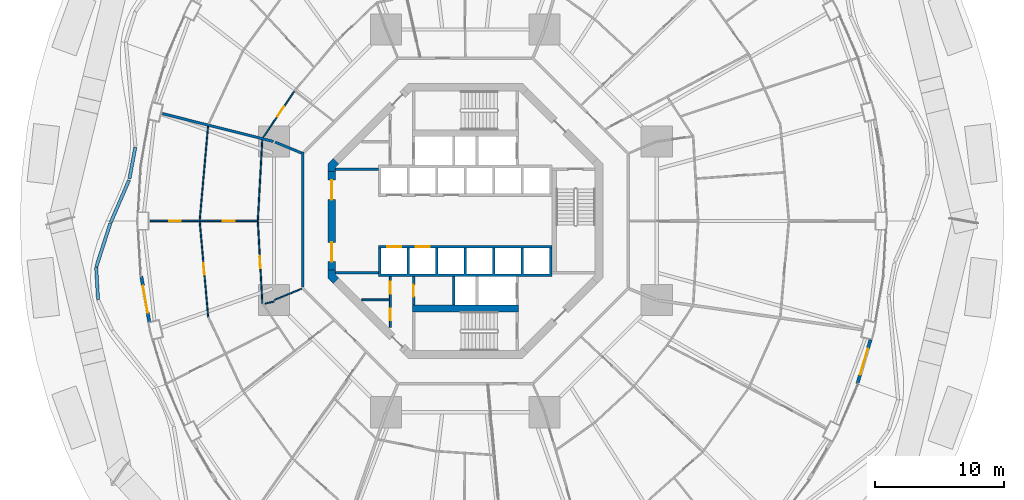
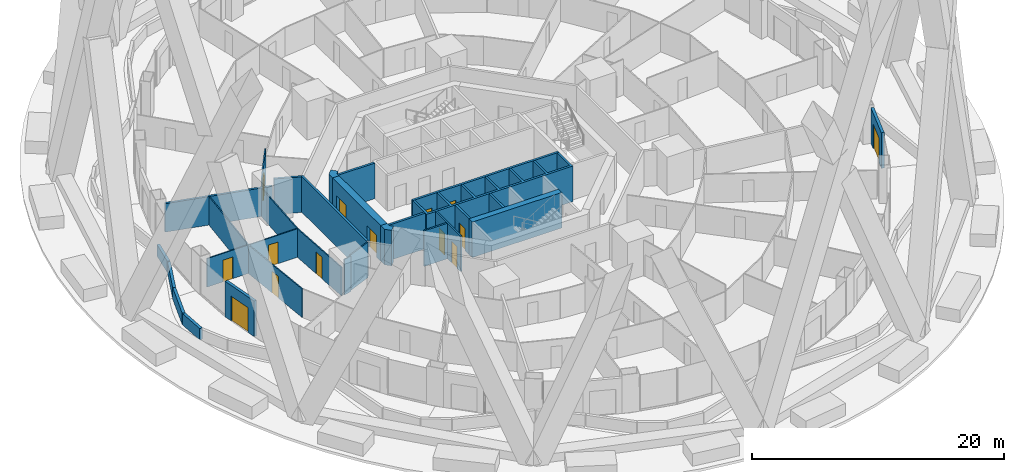
# One storey, part 36 of 42: 29 walls, 14 doors, 14 openings.
"""IFC4 building model written with IfcOpenShell, lengths in metres."""

from ifc_helpers import new_model, si_unit, direction, frame, frame_2d, origin, place, context, subcontext, project, spatial, polyline, rectangle, outline, extrude, material, layer, layer_set, type_object, element, fill, save


model = new_model("IFC4")

# Units and contexts
model_context = context("Model", 3, precision=1e-05, world=origin(), true_north=direction((0.0, 1.0)))
body_context = subcontext(model_context, "Body", "Model", "MODEL_VIEW")
ifc_project = project(units=[si_unit("LENGTHUNIT", "METRE"), si_unit("AREAUNIT", "SQUARE_METRE"), si_unit("VOLUMEUNIT", "CUBIC_METRE"), si_unit("PLANEANGLEUNIT", "RADIAN"), si_unit("MASSUNIT", "GRAM", prefix="KILO")], contexts=[model_context])

# Site, building, storey
site_placement = place(None, origin())
site = spatial("IfcSite", under=ifc_project, at=site_placement, CompositionType="ELEMENT")
building_placement = place(site_placement, origin())
building = spatial("IfcBuilding", under=site, at=building_placement, Name="Nagisa Residences", CompositionType="ELEMENT")
storey_placement = place(building_placement, frame((0.0, 0.0, 27.0)))
storey = spatial("IfcBuildingStorey", under=building, at=storey_placement, Name="L05", CompositionType="ELEMENT", Elevation=27.0)

# Walls
ifc_material_1 = material(Name="Gypsum board on steel studs", Category="steel")
ifc_layer_1 = layer(ifc_material_1, 0.199951171875)
ifc_layer_set_1 = layer_set([ifc_layer_1], Name="Apartment compartment wall EI60 200")
wall_type_1 = type_object("IfcWallType", Name="Apartment compartment wall EI60 200", PredefinedType="PARTITIONING", material=ifc_layer_set_1)
wall_1_placement = place(storey_placement, frame((-12.6572265625, 5.24267578125, 0.0), z_axis=(0.0, 0.0, 1.0), x_axis=(-0.923885664896, 0.382668627144, 0.0)))
element("IfcWall", 1, at=wall_1_placement, inside=storey, type_object=wall_type_1, Name="wall:L05:u02", PredefinedType="PARTITIONING", context=body_context, shape_type="SweptSolid", body=[
    extrude(rectangle(XDim=2.200439453125, YDim=0.199951171875, at=frame_2d((1.10009765625, 0.0))), origin(), (0.0, 0.0, 1.0), 3.43994140625),
])
wall_2_placement = place(storey_placement, frame((-14.83056640625, 6.135009765625, 0.0), z_axis=(0.0, 0.0, 1.0), x_axis=(-0.969884949569, 0.243563512454, 0.0)))
element("IfcWall", 2, at=wall_2_placement, inside=storey, type_object=wall_type_1, Name="wall:L05:u03", PredefinedType="PARTITIONING", context=body_context, shape_type="SweptSolid", body=[
    extrude(rectangle(XDim=8.828857421875, YDim=0.199951171875, at=frame_2d((4.41455078125, 0.0))), origin(), (0.0, 0.0, 1.0), 2.756103515625),
])
ifc_material_2 = material(Name="Gypsum board on steel studs", Category="steel")
ifc_layer_2 = layer(ifc_material_2, 0.199951171875)
ifc_layer_set_2 = layer_set([ifc_layer_2], Name="Apartment entry wall EI60 200")
wall_type_2 = type_object("IfcWallType", Name="Apartment entry wall EI60 200", PredefinedType="PARTITIONING", material=ifc_layer_set_2)
wall_3_placement = place(storey_placement, frame((-12.564697265625, 5.304443359375, 0.0), z_axis=(0.0, 0.0, 1.0), x_axis=(0.0, -1.0, 0.0)))
element("IfcWall", 3, at=wall_3_placement, inside=storey, type_object=wall_type_2, Name="wall:L05:u12", PredefinedType="PARTITIONING", context=body_context, shape_type="SweptSolid", body=[
    extrude(rectangle(XDim=10.408935546875, YDim=0.199951171875, at=frame_2d((5.20458984375, 0.0))), origin(), (0.0, 0.0, 1.0), 3.43994140625),
])

# Wall, opening, door
ifc_material_3 = material(Name="Gypsum board on steel studs", Category="steel")
ifc_layer_3 = layer(ifc_material_3, 0.10009765625)
ifc_layer_set_3 = layer_set([ifc_layer_3], Name="Apartment partition 100")
wall_type_3 = type_object("IfcWallType", Name="Apartment partition 100", PredefinedType="PARTITIONING", material=ifc_layer_set_3)
wall_4_placement = place(storey_placement, frame((-13.21826171875, 10.00390625, 0.0), z_axis=(0.0, 0.0, 1.0), x_axis=(-0.559112679527, -0.829091678641, 0.0)))
wall_4 = element("IfcWall", 4, at=wall_4_placement, inside=storey, type_object=wall_type_3, Name="wall:L05:u54", PredefinedType="PARTITIONING", context=body_context, shape_type="SweptSolid", body=[
    extrude(rectangle(XDim=4.30810546875, YDim=0.10009765625, at=frame_2d((2.154052734375, 0.0))), origin(), (0.0, 0.0, 1.0), 3.43994140625),
])
opening_1_placement = place(wall_4_placement, frame((1.43310546875, 0.0, 0.0)))
opening_1 = element("IfcOpeningElement", 5, at=opening_1_placement, cuts=wall_4, Name="Opening L05-U27", PredefinedType="OPENING", context=body_context, shape_type="SweptSolid", body=[
    extrude(rectangle(XDim=0.89990234375, YDim=2.10009765625, at=frame_2d((0.449951171875, 1.050048828125))), frame((0.0, 0.06005859375, 0.0), z_axis=(0.0, -1.0, 0.0), x_axis=(1.0, 0.0, 0.0)), (0.0, 0.0, 1.0), 0.1201171875),
])
ifc_material_4 = material(Name="Timber door set", Category="wood")
door_type_1 = type_object("IfcDoorType", Name="Apartment door 900x2100", OperationType="NOTDEFINED", PredefinedType="DOOR", material=ifc_material_4)
door_1_placement = place(opening_1_placement, origin())
door_1 = element("IfcDoor", 6, at=door_1_placement, inside=storey, type_object=door_type_1, Name="Door to laundry, Apartment 05B", OperationType="SINGLE_SWING_LEFT", OverallHeight=2.10009765625, OverallWidth=0.89990234375, PredefinedType="DOOR", context=body_context, shape_type="SweptSolid", body=[
    extrude(rectangle(XDim=0.89990234375, YDim=2.10009765625, at=frame_2d((0.449951171875, 1.050048828125))), frame((0.0, 0.02490234375, 0.0), z_axis=(0.0, -1.0, 0.0), x_axis=(1.0, 0.0, 0.0)), (0.0, 0.0, 1.0), 0.050048828125),
])
fill(opening_1, door_1)

# Walls
wall_5_placement = place(storey_placement, frame((-15.688232421875, 6.249267578125, 0.0), z_axis=(0.0, 0.0, 1.0), x_axis=(-0.054659814056, -0.998505034903, 0.0)))
element("IfcWall", 7, at=wall_5_placement, inside=storey, type_object=wall_type_3, Name="wall:L05:u56", PredefinedType="PARTITIONING", context=body_context, shape_type="SweptSolid", body=[
    extrude(rectangle(XDim=6.20849609375, YDim=0.10009765625, at=frame_2d((3.104248046875, 0.0))), origin(), (0.0, 0.0, 1.0), 2.756103515625),
])
wall_6_placement = place(storey_placement, frame((-19.876708984375, 7.300537109375, 0.0), z_axis=(0.0, 0.0, 1.0), x_axis=(-0.088143415068, -0.996107794558, 0.0)))
element("IfcWall", 8, at=wall_6_placement, inside=storey, type_object=wall_type_3, Name="wall:L05:u57", PredefinedType="PARTITIONING", context=body_context, shape_type="SweptSolid", body=[
    extrude(rectangle(XDim=7.279052734375, YDim=0.10009765625, at=frame_2d((3.6396484375, 0.0))), origin(), (0.0, 0.0, 1.0), 2.756103515625),
])

# Wall, openings, doors
wall_7_placement = place(storey_placement, frame((-15.980224609375, 0.0, 0.0), z_axis=(0.0, 0.0, 1.0), x_axis=(-1.0, 0.0, 0.0)))
wall_7 = element("IfcWall", 9, at=wall_7_placement, inside=storey, type_object=wall_type_3, Name="wall:L05:u58", PredefinedType="PARTITIONING", context=body_context, shape_type="SweptSolid", body=[
    extrude(rectangle(XDim=8.369873046875, YDim=0.10009765625, at=frame_2d((4.18505859375, 0.0))), origin(), (0.0, 0.0, 1.0), 2.756103515625),
])
opening_2_placement = place(wall_7_placement, frame((6.006103515625, 0.0, 0.0)))
opening_2 = element("IfcOpeningElement", 10, at=opening_2_placement, cuts=wall_7, Name="Opening L05-U37", PredefinedType="OPENING", context=body_context, shape_type="SweptSolid", body=[
    extrude(rectangle(XDim=0.89990234375, YDim=2.10009765625, at=frame_2d((0.449951171875, 1.050048828125))), frame((0.0, 0.06005859375, 0.0), z_axis=(0.0, -1.0, 0.0), x_axis=(1.0, 0.0, 0.0)), (0.0, 0.0, 1.0), 0.1201171875),
])
opening_3_placement = place(wall_7_placement, frame((1.84619140625, 0.0, 0.0)))
opening_3 = element("IfcOpeningElement", 11, at=opening_3_placement, cuts=wall_7, Name="Opening L05-U39", PredefinedType="OPENING", context=body_context, shape_type="SweptSolid", body=[
    extrude(rectangle(XDim=0.89990234375, YDim=2.10009765625, at=frame_2d((0.449951171875, 1.050048828125))), frame((0.0, 0.06005859375, 0.0), z_axis=(0.0, -1.0, 0.0), x_axis=(1.0, 0.0, 0.0)), (0.0, 0.0, 1.0), 0.1201171875),
])
door_2_placement = place(opening_2_placement, frame((0.89990234375, 0.0, 0.0), x_axis=(-1.0, 0.0, 0.0)))
door_2 = element("IfcDoor", 12, at=door_2_placement, inside=storey, type_object=door_type_1, Name="Door to bedroom, Apartment 05C", OperationType="SINGLE_SWING_RIGHT", OverallHeight=2.10009765625, OverallWidth=0.89990234375, PredefinedType="DOOR", context=body_context, shape_type="SweptSolid", body=[
    extrude(rectangle(XDim=0.89990234375, YDim=2.10009765625, at=frame_2d((0.449951171875, 1.050048828125))), frame((0.0, 0.02490234375, 0.0), z_axis=(0.0, -1.0, 0.0), x_axis=(1.0, 0.0, 0.0)), (0.0, 0.0, 1.0), 0.050048828125),
])
fill(opening_2, door_2)
door_3_placement = place(opening_3_placement, frame((0.89990234375, 0.0, 0.0), x_axis=(-1.0, 0.0, 0.0)))
door_3 = element("IfcDoor", 13, at=door_3_placement, inside=storey, type_object=door_type_1, Name="Door to kitchen, Apartment 05C", OperationType="SINGLE_SWING_RIGHT", OverallHeight=2.10009765625, OverallWidth=0.89990234375, PredefinedType="DOOR", context=body_context, shape_type="SweptSolid", body=[
    extrude(rectangle(XDim=0.89990234375, YDim=2.10009765625, at=frame_2d((0.449951171875, 1.050048828125))), frame((0.0, 0.02490234375, 0.0), z_axis=(0.0, -1.0, 0.0), x_axis=(1.0, 0.0, 0.0)), (0.0, 0.0, 1.0), 0.050048828125),
])
fill(opening_3, door_3)

# Wall, opening, door
wall_8_placement = place(storey_placement, frame((-16.027587890625, -0.050048828125, 0.0), z_axis=(0.0, 0.0, 1.0), x_axis=(0.054636410342, -0.998506315786, 0.0)))
wall_8 = element("IfcWall", 14, at=wall_8_placement, inside=storey, type_object=wall_type_3, Name="wall:L05:u59", PredefinedType="PARTITIONING", context=body_context, shape_type="SweptSolid", body=[
    extrude(rectangle(XDim=6.358642578125, YDim=0.10009765625, at=frame_2d((3.17919921875, 0.0))), origin(), (0.0, 0.0, 1.0), 2.756103515625),
])
opening_4_placement = place(wall_8_placement, frame((2.704345703125, 0.0, 0.0)))
opening_4 = element("IfcOpeningElement", 15, at=opening_4_placement, cuts=wall_8, Name="Opening L05-U38", PredefinedType="OPENING", context=body_context, shape_type="SweptSolid", body=[
    extrude(rectangle(XDim=0.89990234375, YDim=2.10009765625, at=frame_2d((0.449951171875, 1.050048828125))), frame((0.0, 0.06005859375, 0.0), z_axis=(0.0, -1.0, 0.0), x_axis=(1.0, 0.0, 0.0)), (0.0, 0.0, 1.0), 0.1201171875),
])
door_4_placement = place(opening_4_placement, origin())
door_4 = element("IfcDoor", 16, at=door_4_placement, inside=storey, type_object=door_type_1, Name="Door to store, Apartment 05C", OperationType="SINGLE_SWING_RIGHT", OverallHeight=2.10009765625, OverallWidth=0.89990234375, PredefinedType="DOOR", context=body_context, shape_type="SweptSolid", body=[
    extrude(rectangle(XDim=0.89990234375, YDim=2.10009765625, at=frame_2d((0.449951171875, 1.050048828125))), frame((0.0, 0.02490234375, 0.0), z_axis=(0.0, -1.0, 0.0), x_axis=(1.0, 0.0, 0.0)), (0.0, 0.0, 1.0), 0.050048828125),
])
fill(opening_4, door_4)

wall_9_placement = place(storey_placement, frame((-20.518310546875, -0.0498046875, 0.0), z_axis=(0.0, 0.0, 1.0), x_axis=(0.088138375539, -0.996108240483, 0.0)))
wall_9 = element("IfcWall", 17, at=wall_9_placement, inside=storey, type_object=wall_type_3, Name="wall:L05:u60", PredefinedType="PARTITIONING", context=body_context, shape_type="SweptSolid", body=[
    extrude(rectangle(XDim=7.428955078125, YDim=0.10009765625, at=frame_2d((3.71435546875, 0.0))), origin(), (0.0, 0.0, 1.0), 2.756103515625),
])
opening_5_placement = place(wall_9_placement, frame((3.239501953125, 0.0, 0.0)))
opening_5 = element("IfcOpeningElement", 18, at=opening_5_placement, cuts=wall_9, Name="Opening L05-U36", PredefinedType="OPENING", context=body_context, shape_type="SweptSolid", body=[
    extrude(rectangle(XDim=0.89990234375, YDim=2.10009765625, at=frame_2d((0.449951171875, 1.050048828125))), frame((0.0, 0.06005859375, 0.0), z_axis=(0.0, -1.0, 0.0), x_axis=(1.0, 0.0, 0.0)), (0.0, 0.0, 1.0), 0.1201171875),
])
door_5_placement = place(opening_5_placement, origin())
door_5 = element("IfcDoor", 19, at=door_5_placement, inside=storey, type_object=door_type_1, Name="Door to dining room, Apartment 05C", OperationType="SINGLE_SWING_RIGHT", OverallHeight=2.10009765625, OverallWidth=0.89990234375, PredefinedType="DOOR", context=body_context, shape_type="SweptSolid", body=[
    extrude(rectangle(XDim=0.89990234375, YDim=2.10009765625, at=frame_2d((0.449951171875, 1.050048828125))), frame((0.0, 0.02490234375, 0.0), z_axis=(0.0, -1.0, 0.0), x_axis=(1.0, 0.0, 0.0)), (0.0, 0.0, 1.0), 0.050048828125),
])
fill(opening_5, door_5)

# Walls
wall_10_placement = place(storey_placement, frame((-12.6572265625, -5.24267578125, 0.0), z_axis=(0.0, 0.0, 1.0), x_axis=(-0.923864733477, -0.382719158442, 0.0)))
element("IfcWall", 20, at=wall_10_placement, inside=storey, type_object=wall_type_3, Name="wall:L05:u61", PredefinedType="PARTITIONING", context=body_context, shape_type="SweptSolid", body=[
    extrude(rectangle(XDim=2.25, YDim=0.10009765625, at=frame_2d((1.125, 0.0))), origin(), (0.0, 0.0, 1.0), 3.43994140625),
])
wall_11_placement = place(storey_placement, frame((-15.46875, -6.3984375, 0.0), z_axis=(0.0, 0.0, 1.0), x_axis=(0.969858002632, 0.243670791706, 0.0)))
element("IfcWall", 21, at=wall_11_placement, inside=storey, type_object=wall_type_3, Name="wall:L05:u92", PredefinedType="PARTITIONING", context=body_context, shape_type="SweptSolid", body=[
    extrude(rectangle(XDim=0.708251953125, YDim=0.10009765625, at=frame_2d((0.35400390625, 0.0))), origin(), (0.0, 0.0, 1.0), 3.43994140625),
])

# Wall, opening, door
ifc_material_5 = material(Name="Precast concrete C40/50", Category="concrete")
ifc_layer_4 = layer(ifc_material_5, 0.25)
ifc_layer_set_4 = layer_set([ifc_layer_4], Name="BALCONY DOOR WALL 250")
wall_type_4 = type_object("IfcWallType", Name="BALCONY DOOR WALL 250", PredefinedType="SOLIDWALL", material=ifc_layer_set_4)
wall_12_placement = place(storey_placement, frame((-24.4091796875, -7.830078125, 0.0), z_axis=(0.0, 0.0, 1.0), x_axis=(-0.172217377323, 0.98505897029, 0.0)))
wall_12 = element("IfcWall", 22, at=wall_12_placement, inside=storey, type_object=wall_type_4, Name="wall:L05:bay25", PredefinedType="SOLIDWALL", context=body_context, shape_type="SweptSolid", body=[
    extrude(rectangle(XDim=3.597900390625, YDim=0.25, at=frame_2d((1.798828125, 0.0))), origin(), (0.0, 0.0, 1.0), 3.43994140625),
])
opening_6_placement = place(wall_12_placement, frame((0.7490234375, 0.0, 0.0)))
opening_6 = element("IfcOpeningElement", 23, at=opening_6_placement, cuts=wall_12, Name="Opening BD-L05-09", PredefinedType="OPENING", context=body_context, shape_type="SweptSolid", body=[
    extrude(rectangle(XDim=2.10009765625, YDim=2.39990234375, at=frame_2d((1.050048828125, 1.199951171875))), frame((0.0, 0.135009765625, 0.0), z_axis=(0.0, -1.0, 0.0), x_axis=(1.0, 0.0, 0.0)), (0.0, 0.0, 1.0), 0.27001953125),
])
ifc_material_6 = material(Name="Aluminium and clear glass", Category="aluminium")
door_type_2 = type_object("IfcDoorType", Name="BALCONY SLIDING DOOR 2100x2400", OperationType="SLIDING_TO_LEFT", PredefinedType="DOOR", material=ifc_material_6)
door_6_placement = place(opening_6_placement, origin())
door_6 = element("IfcDoor", 24, at=door_6_placement, inside=storey, type_object=door_type_2, Name="door:L05:bay25", OperationType="SLIDING_TO_LEFT", OverallHeight=2.39990234375, OverallWidth=2.10009765625, PredefinedType="DOOR", context=body_context, shape_type="SweptSolid", body=[
    extrude(rectangle(XDim=2.10009765625, YDim=2.39990234375, at=frame_2d((1.050048828125, 1.199951171875))), frame((0.0, 0.02490234375, 0.0), z_axis=(0.0, -1.0, 0.0), x_axis=(1.0, 0.0, 0.0)), (0.0, 0.0, 1.0), 0.050048828125),
])
fill(opening_6, door_6)

wall_13_placement = place(storey_placement, frame((31.2919921875, -9.176025390625, 0.0), z_axis=(0.0, 0.0, 1.0), x_axis=(-0.285871309426, -0.958268018065, 0.0)))
wall_13 = element("IfcWall", 25, at=wall_13_placement, inside=storey, type_object=wall_type_4, Name="wall:L05:bay45", PredefinedType="SOLIDWALL", context=body_context, shape_type="SweptSolid", body=[
    extrude(rectangle(XDim=3.5654296875, YDim=0.25, at=frame_2d((1.78271484375, 0.0))), origin(), (0.0, 0.0, 1.0), 3.43994140625),
])
opening_7_placement = place(wall_13_placement, frame((0.732666015625, 0.0, 0.0)))
opening_7 = element("IfcOpeningElement", 26, at=opening_7_placement, cuts=wall_13, Name="Opening BD-L05-16", PredefinedType="OPENING", context=body_context, shape_type="SweptSolid", body=[
    extrude(rectangle(XDim=2.10009765625, YDim=2.39990234375, at=frame_2d((1.050048828125, 1.199951171875))), frame((0.0, 0.135009765625, 0.0), z_axis=(0.0, -1.0, 0.0), x_axis=(1.0, 0.0, 0.0)), (0.0, 0.0, 1.0), 0.27001953125),
])
door_7_placement = place(opening_7_placement, origin())
door_7 = element("IfcDoor", 27, at=door_7_placement, inside=storey, type_object=door_type_2, Name="door:L05:bay45", OperationType="SLIDING_TO_LEFT", OverallHeight=2.39990234375, OverallWidth=2.10009765625, PredefinedType="DOOR", context=body_context, shape_type="SweptSolid", body=[
    extrude(rectangle(XDim=2.10009765625, YDim=2.39990234375, at=frame_2d((1.050048828125, 1.199951171875))), frame((0.0, 0.02490234375, 0.0), z_axis=(0.0, -1.0, 0.0), x_axis=(1.0, 0.0, 0.0)), (0.0, 0.0, 1.0), 0.050048828125),
])
fill(opening_7, door_7)

# Wall, openings, doors
ifc_material_7 = material(Name="Gypsum board on steel studs", Category="steel")
ifc_layer_5 = layer(ifc_material_7, 0.14990234375)
ifc_layer_set_5 = layer_set([ifc_layer_5], Name="Core partition 150")
wall_type_5 = type_object("IfcWallType", Name="Core partition 150", PredefinedType="PARTITIONING", material=ifc_layer_set_5)
wall_14_placement = place(storey_placement, frame((-5.800048828125, -8.22705078125, 0.0), z_axis=(0.0, 0.0, 1.0), x_axis=(0.0, 1.0, 0.0)))
wall_14 = element("IfcWall", 28, at=wall_14_placement, inside=storey, type_object=wall_type_5, Name="wall:L05:SWp", PredefinedType="PARTITIONING", context=body_context, shape_type="SweptSolid", body=[
    extrude(rectangle(XDim=3.927001953125, YDim=0.14990234375, at=frame_2d((1.96337890625, 0.0))), origin(), (0.0, 0.0, 1.0), 3.43994140625),
])
opening_8_placement = place(wall_14_placement, frame((2.614501953125, 0.0, 0.0)))
opening_8 = element("IfcOpeningElement", 29, at=opening_8_placement, cuts=wall_14, Name="Opening L05-C14", PredefinedType="OPENING", context=body_context, shape_type="SweptSolid", body=[
    extrude(rectangle(XDim=0.89990234375, YDim=2.10009765625, at=frame_2d((0.449951171875, 1.050048828125))), frame((0.0, 0.0849609375, 0.0), z_axis=(0.0, -1.0, 0.0), x_axis=(1.0, 0.0, 0.0)), (0.0, 0.0, 1.0), 0.169921875),
])
opening_9_placement = place(wall_14_placement, frame((0.53857421875, 0.0, 0.0)))
opening_9 = element("IfcOpeningElement", 30, at=opening_9_placement, cuts=wall_14, Name="Opening L05-C15", PredefinedType="OPENING", context=body_context, shape_type="SweptSolid", body=[
    extrude(rectangle(XDim=0.89990234375, YDim=2.10009765625, at=frame_2d((0.449951171875, 1.050048828125))), frame((0.0, 0.0849609375, 0.0), z_axis=(0.0, -1.0, 0.0), x_axis=(1.0, 0.0, 0.0)), (0.0, 0.0, 1.0), 0.169921875),
])
ifc_material_8 = material(Name="Steel fire door", Category="steel")
door_type_3 = type_object("IfcDoorType", Name="Fire door EI30 900x2100 single swing", OperationType="NOTDEFINED", PredefinedType="DOOR", material=ifc_material_8)
door_8_placement = place(opening_8_placement, origin())
door_8 = element("IfcDoor", 31, at=door_8_placement, inside=storey, type_object=door_type_3, Name="Cleaner store door L05", OperationType="SINGLE_SWING_LEFT", OverallHeight=2.10009765625, OverallWidth=0.89990234375, PredefinedType="DOOR", context=body_context, shape_type="SweptSolid", body=[
    extrude(rectangle(XDim=0.89990234375, YDim=2.10009765625, at=frame_2d((0.449951171875, 1.050048828125))), frame((0.0, 0.02490234375, 0.0), z_axis=(0.0, -1.0, 0.0), x_axis=(1.0, 0.0, 0.0)), (0.0, 0.0, 1.0), 0.050048828125),
])
fill(opening_8, door_8)
door_9_placement = place(opening_9_placement, origin())
door_9 = element("IfcDoor", 32, at=door_9_placement, inside=storey, type_object=door_type_3, Name="Package room door L05", OperationType="SINGLE_SWING_LEFT", OverallHeight=2.10009765625, OverallWidth=0.89990234375, PredefinedType="DOOR", context=body_context, shape_type="SweptSolid", body=[
    extrude(rectangle(XDim=0.89990234375, YDim=2.10009765625, at=frame_2d((0.449951171875, 1.050048828125))), frame((0.0, 0.02490234375, 0.0), z_axis=(0.0, -1.0, 0.0), x_axis=(1.0, 0.0, 0.0)), (0.0, 0.0, 1.0), 0.050048828125),
])
fill(opening_9, door_9)

# Walls
wall_15_placement = place(storey_placement, frame((-8.0009765625, -6.10009765625, 0.0), z_axis=(0.0, 0.0, 1.0), x_axis=(1.0, 0.0, 0.0)))
element("IfcWall", 33, at=wall_15_placement, inside=storey, type_object=wall_type_5, Name="wall:L05:SWq", PredefinedType="PARTITIONING", context=body_context, shape_type="SweptSolid", body=[
    extrude(rectangle(XDim=2.1259765625, YDim=0.14990234375, at=frame_2d((1.06298828125, 0.0))), origin(), (0.0, 0.0, 1.0), 3.43994140625),
])
ifc_material_9 = material(Name="Gypsum board on steel studs", Category="steel")
ifc_layer_6 = layer(ifc_material_9, 0.199951171875)
ifc_layer_set_6 = layer_set([ifc_layer_6], Name="Core partition 200")
wall_type_6 = type_object("IfcWallType", Name="Core partition 200", PredefinedType="PARTITIONING", material=ifc_layer_set_6)
for number, where, z_axis, x_axis, name in (
    (34, (-10.024658203125, -4.0, 0.0), (0.0, 0.0, 1.0), (1.0, 0.0, 0.0), "wall:L05:PSW"),
    (35, (-10.024658203125, 4.0, 0.0), (0.0, 0.0, 1.0), (1.0, 0.0, 0.0), "wall:L05:PNW"),
):
    element("IfcWall", number, at=place(storey_placement, frame(where, z_axis=z_axis, x_axis=x_axis)), inside=storey, type_object=wall_type_6, Name=name, PredefinedType="PARTITIONING", context=body_context, shape_type="SweptSolid", body=[
        extrude(rectangle(XDim=3.32470703125, YDim=0.199951171875, at=frame_2d((1.662353515625, 0.0))), origin(), (0.0, 0.0, 1.0), 3.43994140625),
    ])

# Wall, openings, doors
ifc_material_10 = material(Name="Concrete C60", Category="concrete")
ifc_layer_7 = layer(ifc_material_10, 0.60009765625)
ifc_layer_set_7 = layer_set([ifc_layer_7], Name="Core shear wall 600")
wall_type_7 = type_object("IfcWallType", Name="Core shear wall 600", PredefinedType="SHEAR", material=ifc_layer_set_7)
wall_16_placement = place(storey_placement, frame((-10.32470703125, 3.80078125, 0.0), z_axis=(0.0, 0.0, 1.0), x_axis=(0.0, -1.0, 0.0)))
wall_16 = element("IfcWall", 36, at=wall_16_placement, inside=storey, type_object=wall_type_7, Name="wall:L05:core:flat4", PredefinedType="SHEAR", context=body_context, shape_type="SweptSolid", body=[
    extrude(rectangle(XDim=7.6015625, YDim=0.60009765625, at=frame_2d((3.80078125, 0.0))), origin(), (0.0, 0.0, 1.0), 3.43994140625),
])
opening_10_placement = place(wall_16_placement, frame((0.65087890625, 0.0, 0.0)))
opening_10 = element("IfcOpeningElement", 37, at=opening_10_placement, cuts=wall_16, Name="Opening L05-C19", PredefinedType="OPENING", context=body_context, shape_type="SweptSolid", body=[
    extrude(rectangle(XDim=1.5, YDim=2.10009765625, at=frame_2d((0.75, 1.050048828125))), frame((0.0, 0.31005859375, 0.0), z_axis=(0.0, -1.0, 0.0), x_axis=(1.0, 0.0, 0.0)), (0.0, 0.0, 1.0), 0.6201171875),
])
opening_11_placement = place(wall_16_placement, frame((5.450927734375, 0.0, 0.0)))
opening_11 = element("IfcOpeningElement", 38, at=opening_11_placement, cuts=wall_16, Name="Opening L05-C20", PredefinedType="OPENING", context=body_context, shape_type="SweptSolid", body=[
    extrude(rectangle(XDim=1.5, YDim=2.10009765625, at=frame_2d((0.75, 1.050048828125))), frame((0.0, 0.31005859375, 0.0), z_axis=(0.0, -1.0, 0.0), x_axis=(1.0, 0.0, 0.0)), (0.0, 0.0, 1.0), 0.6201171875),
])
ifc_material_11 = material(Name="Steel fire door", Category="steel")
door_type_4 = type_object("IfcDoorType", Name="Fire door EI60 1500x2100 double door single swing", OperationType="DOUBLE_DOOR_SINGLE_SWING", PredefinedType="DOOR", material=ifc_material_11)
door_10_placement = place(opening_10_placement, origin())
door_10 = element("IfcDoor", 39, at=door_10_placement, inside=storey, type_object=door_type_4, Name="Lift lobby door L05 1", OperationType="DOUBLE_DOOR_SINGLE_SWING", OverallHeight=2.10009765625, OverallWidth=1.5, PredefinedType="DOOR", context=body_context, shape_type="SweptSolid", body=[
    extrude(rectangle(XDim=1.5, YDim=2.10009765625, at=frame_2d((0.75, 1.050048828125))), frame((0.0, 0.02490234375, 0.0), z_axis=(0.0, -1.0, 0.0), x_axis=(1.0, 0.0, 0.0)), (0.0, 0.0, 1.0), 0.050048828125),
])
fill(opening_10, door_10)
door_11_placement = place(opening_11_placement, origin())
door_11 = element("IfcDoor", 40, at=door_11_placement, inside=storey, type_object=door_type_4, Name="Lift lobby door L05 2", OperationType="DOUBLE_DOOR_SINGLE_SWING", OverallHeight=2.10009765625, OverallWidth=1.5, PredefinedType="DOOR", context=body_context, shape_type="SweptSolid", body=[
    extrude(rectangle(XDim=1.5, YDim=2.10009765625, at=frame_2d((0.75, 1.050048828125))), frame((0.0, 0.02490234375, 0.0), z_axis=(0.0, -1.0, 0.0), x_axis=(1.0, 0.0, 0.0)), (0.0, 0.0, 1.0), 0.050048828125),
])
fill(opening_11, door_11)

# Walls
wall_17_placement = place(storey_placement, origin())
element("IfcWall", 41, at=wall_17_placement, inside=storey, type_object=wall_type_7, Name="wall:L05:core:pier4", PredefinedType="SHEAR", context=body_context, shape_type="SweptSolid", body=[
    extrude(outline(polyline([(-10.62451171875, -3.80078125), (-10.024658203125, -3.80078125), (-10.024658203125, -4.15234375), (-9.776123046875, -4.40087890625), (-10.200439453125, -4.8251953125), (-10.62451171875, -4.40087890625), (-10.62451171875, -3.80078125)])), origin(), (0.0, 0.0, 1.0), 3.43994140625),
])
wall_18_placement = place(storey_placement, origin())
element("IfcWall", 42, at=wall_18_placement, inside=storey, type_object=wall_type_7, Name="wall:L05:core:pier3", PredefinedType="SHEAR", context=body_context, shape_type="SweptSolid", body=[
    extrude(outline(polyline([(-10.200439453125, 4.8251953125), (-9.776123046875, 4.40087890625), (-10.024658203125, 4.15234375), (-10.024658203125, 3.80078125), (-10.62451171875, 3.80078125), (-10.62451171875, 4.40087890625), (-10.200439453125, 4.8251953125)])), origin(), (0.0, 0.0, 1.0), 3.43994140625),
])

# Wall, opening, door
ifc_material_12 = material(Name="Concrete C60", Category="concrete")
ifc_layer_8 = layer(ifc_material_12, 0.199951171875)
ifc_layer_set_8 = layer_set([ifc_layer_8], Name="Lift shaft wall 200")
wall_type_8 = type_object("IfcWallType", Name="Lift shaft wall 200", PredefinedType="SOLIDWALL", material=ifc_layer_set_8)
wall_19_placement = place(storey_placement, frame((-4.0, -6.5, 0.0), z_axis=(0.0, 0.0, 1.0), x_axis=(0.0, 1.0, 0.0)))
wall_19 = element("IfcWall", 43, at=wall_19_placement, inside=storey, type_object=wall_type_8, Name="wall:L05:Sb4", PredefinedType="SOLIDWALL", context=body_context, shape_type="SweptSolid", body=[
    extrude(rectangle(XDim=2.199951171875, YDim=0.199951171875, at=frame_2d((1.10009765625, 0.0))), origin(), (0.0, 0.0, 1.0), 3.43994140625),
])
opening_12_placement = place(wall_19_placement, frame((0.64990234375, 0.0, 0.0)))
opening_12 = element("IfcOpeningElement", 44, at=opening_12_placement, cuts=wall_19, Name="Opening L05-C16", PredefinedType="OPENING", context=body_context, shape_type="SweptSolid", body=[
    extrude(rectangle(XDim=0.89990234375, YDim=2.10009765625, at=frame_2d((0.449951171875, 1.050048828125))), frame((0.0, 0.10986328125, 0.0), z_axis=(0.0, -1.0, 0.0), x_axis=(1.0, 0.0, 0.0)), (0.0, 0.0, 1.0), 0.219970703125),
])
door_12_placement = place(opening_12_placement, frame((0.89990234375, 0.0, 0.0), x_axis=(-1.0, 0.0, 0.0)))
door_12 = element("IfcDoor", 45, at=door_12_placement, inside=storey, type_object=door_type_3, Name="Refuse room door L05", OperationType="SINGLE_SWING_RIGHT", OverallHeight=2.10009765625, OverallWidth=0.89990234375, PredefinedType="DOOR", context=body_context, shape_type="SweptSolid", body=[
    extrude(rectangle(XDim=0.89990234375, YDim=2.10009765625, at=frame_2d((0.449951171875, 1.050048828125))), frame((0.0, 0.02490234375, 0.0), z_axis=(0.0, -1.0, 0.0), x_axis=(1.0, 0.0, 0.0)), (0.0, 0.0, 1.0), 0.050048828125),
])
fill(opening_12, door_12)

# Wall, openings, doors
wall_20_placement = place(storey_placement, frame((-6.699951171875, -2.0, 0.0), z_axis=(0.0, 0.0, 1.0), x_axis=(1.0, 0.0, 0.0)))
wall_20 = element("IfcWall", 46, at=wall_20_placement, inside=storey, type_object=wall_type_8, Name="wall:L05:Sfront", PredefinedType="SOLIDWALL", context=body_context, shape_type="SweptSolid", body=[
    extrude(rectangle(XDim=13.39990234375, YDim=0.199951171875, at=frame_2d((6.699951171875, 0.0))), origin(), (0.0, 0.0, 1.0), 3.43994140625),
])
opening_13_placement = place(wall_20_placement, frame((0.64990234375, 0.0, 0.0)))
opening_13 = element("IfcOpeningElement", 47, at=opening_13_placement, cuts=wall_20, Name="Opening L05-C04", PredefinedType="OPENING", context=body_context, shape_type="SweptSolid", body=[
    extrude(rectangle(XDim=1.10009765625, YDim=2.10009765625, at=frame_2d((0.550048828125, 1.050048828125))), frame((0.0, 0.10986328125, 0.0), z_axis=(0.0, -1.0, 0.0), x_axis=(1.0, 0.0, 0.0)), (0.0, 0.0, 1.0), 0.219970703125),
])
opening_14_placement = place(wall_20_placement, frame((2.85009765625, 0.0, 0.0)))
opening_14 = element("IfcOpeningElement", 48, at=opening_14_placement, cuts=wall_20, Name="Opening L05-C05", PredefinedType="OPENING", context=body_context, shape_type="SweptSolid", body=[
    extrude(rectangle(XDim=1.10009765625, YDim=2.10009765625, at=frame_2d((0.550048828125, 1.050048828125))), frame((0.0, 0.10986328125, 0.0), z_axis=(0.0, -1.0, 0.0), x_axis=(1.0, 0.0, 0.0)), (0.0, 0.0, 1.0), 0.219970703125),
])
ifc_material_13 = material(Name="Stainless steel", Category="steel")
door_type_5 = type_object("IfcDoorType", Name="Lift landing door 1100x2100", OperationType="DOUBLE_DOOR_SLIDING", PredefinedType="DOOR", material=ifc_material_13)
door_13_placement = place(opening_13_placement, origin())
door_13 = element("IfcDoor", 49, at=door_13_placement, inside=storey, type_object=door_type_5, Name="Landing door A4 L05", OperationType="DOUBLE_DOOR_SLIDING", OverallHeight=2.10009765625, OverallWidth=1.10009765625, PredefinedType="DOOR", context=body_context, shape_type="SweptSolid", body=[
    extrude(rectangle(XDim=1.10009765625, YDim=2.10009765625, at=frame_2d((0.550048828125, 1.050048828125))), frame((0.0, 0.02490234375, 0.0), z_axis=(0.0, -1.0, 0.0), x_axis=(1.0, 0.0, 0.0)), (0.0, 0.0, 1.0), 0.050048828125),
])
fill(opening_13, door_13)
door_14_placement = place(opening_14_placement, origin())
door_14 = element("IfcDoor", 50, at=door_14_placement, inside=storey, type_object=door_type_5, Name="Landing door A5 L05", OperationType="DOUBLE_DOOR_SLIDING", OverallHeight=2.10009765625, OverallWidth=1.10009765625, PredefinedType="DOOR", context=body_context, shape_type="SweptSolid", body=[
    extrude(rectangle(XDim=1.10009765625, YDim=2.10009765625, at=frame_2d((0.550048828125, 1.050048828125))), frame((0.0, 0.02490234375, 0.0), z_axis=(0.0, -1.0, 0.0), x_axis=(1.0, 0.0, 0.0)), (0.0, 0.0, 1.0), 0.050048828125),
])
fill(opening_14, door_14)

# Walls
wall_21_placement = place(storey_placement, frame((-0.89990234375, -6.5, 0.0), z_axis=(0.0, 0.0, 1.0), x_axis=(0.0, 1.0, 0.0)))
element("IfcWall", 51, at=wall_21_placement, inside=storey, type_object=wall_type_8, Name="wall:L05:Sb1", PredefinedType="SOLIDWALL", context=body_context, shape_type="SweptSolid", body=[
    extrude(rectangle(XDim=2.199951171875, YDim=0.199951171875, at=frame_2d((1.10009765625, 0.0))), origin(), (0.0, 0.0, 1.0), 3.43994140625),
])
wall_22_placement = place(storey_placement, origin())
element("IfcWall", 52, at=wall_22_placement, inside=storey, type_object=wall_type_8, Name="wall:L05:Sback", PredefinedType="SOLIDWALL", context=body_context, shape_type="SweptSolid", body=[
    extrude(outline(polyline([(-6.699951171875, -2.10009765625), (-6.5, -2.10009765625), (-6.5, -4.10009765625), (-4.5, -4.10009765625), (-4.5, -2.10009765625), (-4.300048828125, -2.10009765625), (-4.300048828125, -4.10009765625), (-2.300048828125, -4.10009765625), (-2.300048828125, -2.10009765625), (-2.10009765625, -2.10009765625), (-2.10009765625, -4.10009765625), (-0.10009765625, -4.10009765625), (-0.10009765625, -2.10009765625), (0.10009765625, -2.10009765625), (0.10009765625, -4.10009765625), (2.10009765625, -4.10009765625), (2.10009765625, -2.10009765625), (2.300048828125, -2.10009765625), (2.300048828125, -4.10009765625), (4.300048828125, -4.10009765625), (4.300048828125, -2.10009765625), (4.5, -2.10009765625), (4.5, -4.10009765625), (6.5, -4.10009765625), (6.5, -2.10009765625), (6.699951171875, -2.10009765625), (6.699951171875, -4.300048828125), (-6.699951171875, -4.300048828125), (-6.699951171875, -2.10009765625)])), origin(), (0.0, 0.0, 1.0), 3.43994140625),
])
ifc_material_14 = material(Name="Precast concrete C40/50", Category="concrete")
ifc_layer_9 = layer(ifc_material_14, 0.25)
ifc_layer_set_9 = layer_set([ifc_layer_9], Name="PARAPET 250")
wall_type_9 = type_object("IfcWallType", Name="PARAPET 250", PredefinedType="PARAPET", material=ifc_layer_set_9)
wall_23_placement = place(storey_placement, frame((-25.496337890625, 5.6787109375, 0.0), z_axis=(0.0, 0.0, 1.0), x_axis=(-0.182584016384, -0.983190254712, 0.0)))
element("IfcWall", 53, at=wall_23_placement, inside=storey, type_object=wall_type_9, Name="parapet:L05:bal07-0-01", PredefinedType="PARAPET", context=body_context, shape_type="SweptSolid", body=[
    extrude(rectangle(XDim=2.4736328125, YDim=0.25, at=frame_2d((1.23681640625, 0.0))), origin(), (0.0, 0.0, 1.0), 1.10009765625),
])
wall_24_placement = place(storey_placement, frame((-25.979248046875, 3.143798828125, 0.0), z_axis=(0.0, 0.0, 1.0), x_axis=(-0.397314501354, -0.917682508831, 0.0)))
element("IfcWall", 54, at=wall_24_placement, inside=storey, type_object=wall_type_9, Name="parapet:L05:bal07-0-02", PredefinedType="PARAPET", context=body_context, shape_type="SweptSolid", body=[
    extrude(rectangle(XDim=3.555419921875, YDim=0.25, at=frame_2d((1.77783203125, 0.0))), origin(), (0.0, 0.0, 1.0), 1.10009765625),
])
wall_25_placement = place(storey_placement, frame((-27.417724609375, -0.1748046875, 0.0), z_axis=(0.0, 0.0, 1.0), x_axis=(-0.30707891595, -0.951684054389, 0.0)))
element("IfcWall", 55, at=wall_25_placement, inside=storey, type_object=wall_type_9, Name="parapet:L05:bal08-0-00", PredefinedType="PARAPET", context=body_context, shape_type="SweptSolid", body=[
    extrude(rectangle(XDim=3.560302734375, YDim=0.25, at=frame_2d((1.7802734375, 0.0))), origin(), (0.0, 0.0, 1.0), 1.10009765625),
])
wall_26_placement = place(storey_placement, frame((-28.51513671875, -3.595458984375, 0.0), z_axis=(0.0, 0.0, 1.0), x_axis=(0.056879134158, -0.998381071584, 0.0)))
element("IfcWall", 56, at=wall_26_placement, inside=storey, type_object=wall_type_9, Name="parapet:L05:bal08-0-01", PredefinedType="PARAPET", context=body_context, shape_type="SweptSolid", body=[
    extrude(rectangle(XDim=2.485107421875, YDim=0.25, at=frame_2d((1.24267578125, 0.0))), origin(), (0.0, 0.0, 1.0), 1.10009765625),
])
ifc_material_15 = material(Name="Concrete C60", Category="concrete")
ifc_layer_10 = layer(ifc_material_15, 0.199951171875)
ifc_layer_set_10 = layer_set([ifc_layer_10], Name="Stair enclosure wall 200")
wall_type_10 = type_object("IfcWallType", Name="Stair enclosure wall 200", PredefinedType="SOLIDWALL", material=ifc_layer_set_10)
wall_27_placement = place(storey_placement, origin())
element("IfcWall", 57, at=wall_27_placement, inside=storey, type_object=wall_type_10, Name="wall:L05:SS_n", PredefinedType="SOLIDWALL", context=body_context, shape_type="SweptSolid", body=[
    extrude(outline(polyline([(4.10009765625, -7.024658203125), (-4.10009765625, -7.024658203125), (-4.10009765625, -6.5), (4.10009765625, -6.5), (4.10009765625, -7.024658203125)])), origin(), (0.0, 0.0, 1.0), 3.43994140625),
])

save(model, "model.ifc")
